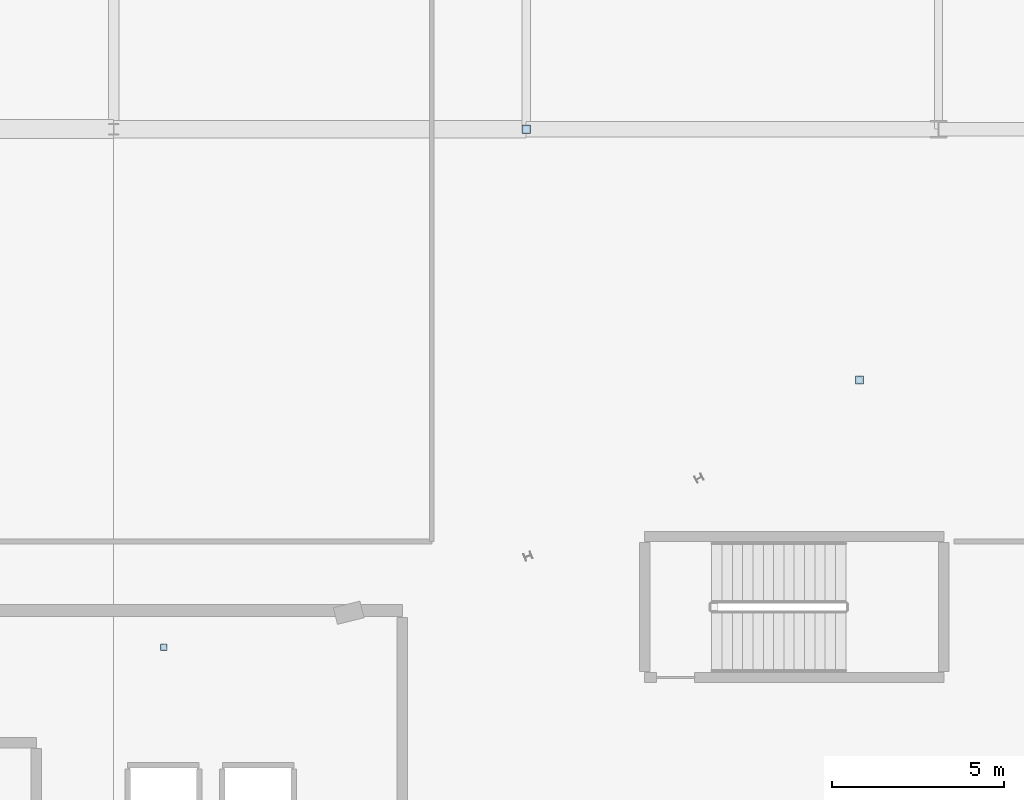
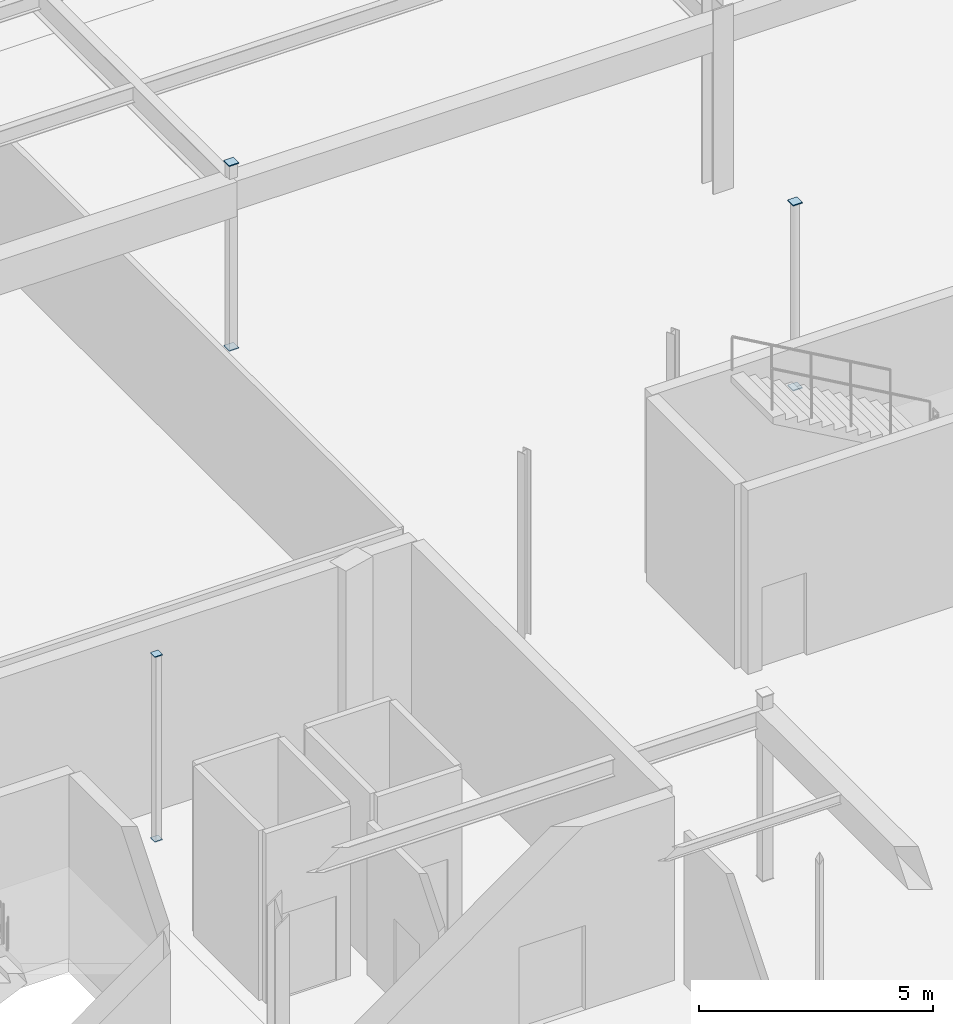
# One storey, part 164 of 226: 6 plates.
"""IFC4 building model written with IfcOpenShell, lengths in metres."""

from ifc_helpers import new_model, si_unit, direction, frame, origin, origin_2d, place, context, subcontext, project, spatial, rectangle, extrude, material, layer, layer_set, type_object, element, save


model = new_model("IFC4")

# Units and contexts
model_context = context("Model", 3, precision=1e-05, world=origin(), true_north=direction((0.0, 1.0)))
body_context = subcontext(model_context, "Body", "Model", "MODEL_VIEW")
ifc_project = project(units=[si_unit("LENGTHUNIT", "METRE"), si_unit("AREAUNIT", "SQUARE_METRE"), si_unit("VOLUMEUNIT", "CUBIC_METRE"), si_unit("PLANEANGLEUNIT", "RADIAN"), si_unit("MASSUNIT", "GRAM", prefix="KILO")], contexts=[model_context])

# Site, building, storey
site_placement = place(None, origin())
site = spatial("IfcSite", under=ifc_project, at=site_placement, CompositionType="ELEMENT")
building_placement = place(site_placement, origin())
building = spatial("IfcBuilding", under=site, at=building_placement, Name="Tarnwether General Hospital", CompositionType="ELEMENT")
storey_placement = place(building_placement, frame((0.0, 0.0, 4.800048828125)))
storey = spatial("IfcBuildingStorey", under=building, at=storey_placement, Name="L01", CompositionType="ELEMENT", Elevation=4.800048828125)

# Plates
ifc_material = material(Name="Steel Grade 350 (350 MPa)", Category="steel")
ifc_layer = layer(ifc_material, 0.02490234375)
ifc_layer_set = layer_set([ifc_layer], Name="Steel Grade 350 (350 MPa)")
plate_type = type_object("IfcPlateType", Name="PT-GUS2", PredefinedType="USERDEFINED", material=ifc_layer_set)
for number, where, z_axis, x_axis, name in (
    (1, (108.0, 33.60009765625, -0.02490234375), (0.0, 0.0, 1.0), (1.0, 0.0, 0.0), "Hollow Section Welded End Cap Plate 0201"),
    (2, (108.0, 33.60009765625, 4.800048828125), (0.0, 0.0, 1.0), (1.0, 0.0, 0.0), "Hollow Section Welded End Cap Plate 0202"),
):
    element("IfcPlate", number, at=place(storey_placement, frame(where, z_axis=z_axis, x_axis=x_axis)), inside=storey, type_object=plate_type, Name=name, ObjectType="GUSSET", PredefinedType="USERDEFINED", context=body_context, shape_type="SweptSolid", body=[
        extrude(rectangle(XDim=0.239990234375, YDim=0.239990234375, at=origin_2d()), origin(), (0.0, 0.0, 1.0), 0.02490234375),
    ])
for number, where, z_axis, x_axis, name in (
    (3, (97.4599609375, 18.533935546875, -0.02490234375), (0.0, 0.0, 1.0), (1.0, 0.0, 0.0), "Hollow Section Welded End Cap Plate 0699"),
    (4, (97.4599609375, 18.533935546875, 4.800048828125), (0.0, 0.0, 1.0), (1.0, 0.0, 0.0), "Hollow Section Welded End Cap Plate 0700"),
):
    element("IfcPlate", number, at=place(storey_placement, frame(where, z_axis=z_axis, x_axis=x_axis)), inside=storey, type_object=plate_type, Name=name, ObjectType="GUSSET", PredefinedType="USERDEFINED", context=body_context, shape_type="SweptSolid", body=[
        extrude(rectangle(XDim=0.18994140625, YDim=0.18994140625, at=origin_2d()), origin(), (0.0, 0.0, 1.0), 0.02490234375),
    ])
for number, where, z_axis, x_axis, name in (
    (5, (117.696044921875, 26.302001953125, -0.02490234375), (0.0, 0.0, 1.0), (1.0, 0.0, 0.0), "Hollow Section Welded End Cap Plate 0745"),
    (6, (117.696044921875, 26.302001953125, 4.800048828125), (0.0, 0.0, 1.0), (1.0, 0.0, 0.0), "Hollow Section Welded End Cap Plate 0746"),
):
    element("IfcPlate", number, at=place(storey_placement, frame(where, z_axis=z_axis, x_axis=x_axis)), inside=storey, type_object=plate_type, Name=name, ObjectType="GUSSET", PredefinedType="USERDEFINED", context=body_context, shape_type="SweptSolid", body=[
        extrude(rectangle(XDim=0.23388671875, YDim=0.23388671875, at=origin_2d()), origin(), (0.0, 0.0, 1.0), 0.02490234375),
    ])

save(model, "model.ifc")
